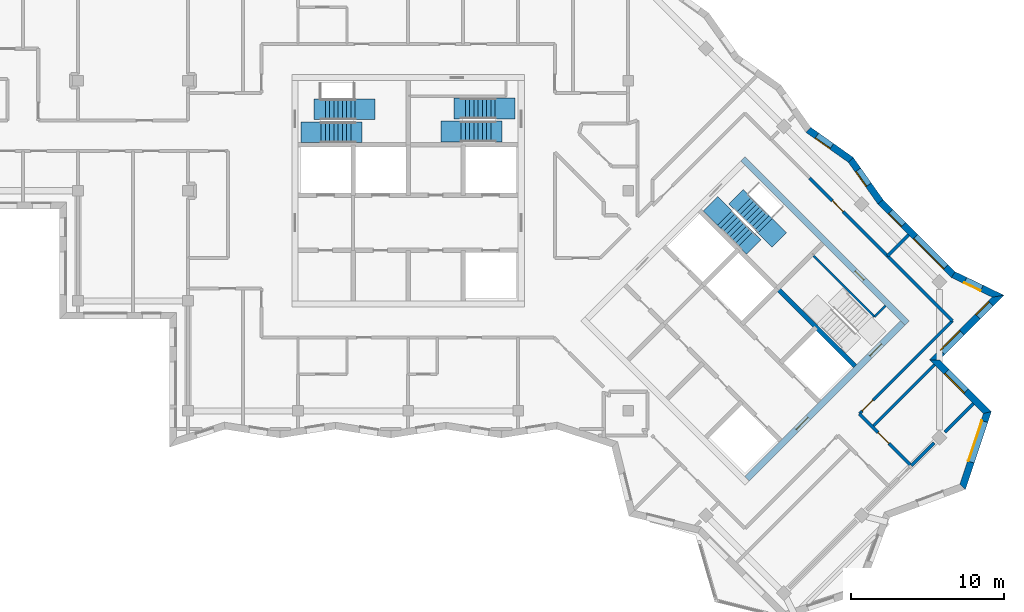
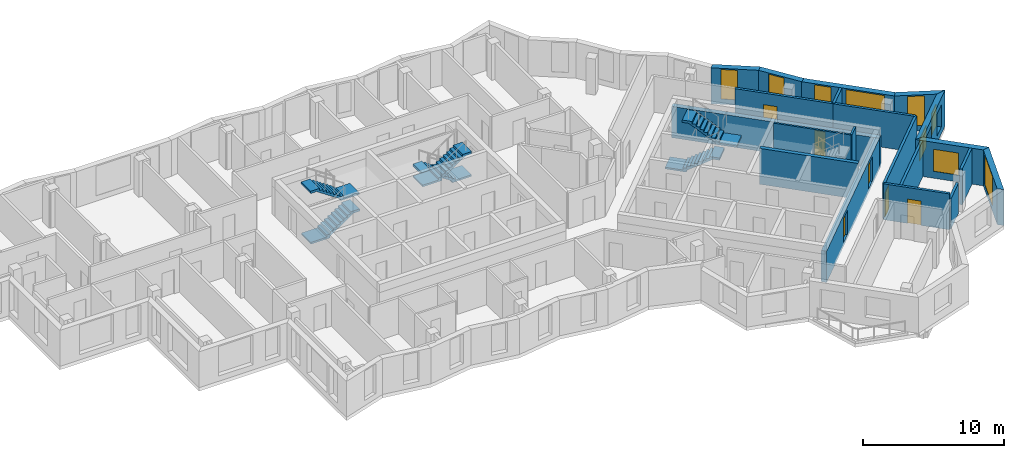
# One storey, part 8 of 12: 20 walls, 9 windows, 6 doors, 6 stair flights, 15 openings, 3 elements without a shape of their own.
"""IFC4 building model written with IfcOpenShell, lengths in metres."""

from ifc_helpers import new_model, si_unit, direction, frame, frame_2d, origin, place, context, subcontext, project, spatial, polyline, rectangle, outline, extrude, material, layer, layer_set, type_object, element, fill, aggregate, save


model = new_model("IFC4")

# Units and contexts
model_context = context("Model", 3, precision=1e-05, world=origin(), true_north=direction((0.0, 1.0)))
body_context = subcontext(model_context, "Body", "Model", "MODEL_VIEW")
ifc_project = project(units=[si_unit("LENGTHUNIT", "METRE"), si_unit("AREAUNIT", "SQUARE_METRE"), si_unit("VOLUMEUNIT", "CUBIC_METRE"), si_unit("PLANEANGLEUNIT", "RADIAN"), si_unit("MASSUNIT", "GRAM", prefix="KILO")], contexts=[model_context])

# Site, building, storey
site_placement = place(None, origin())
site = spatial("IfcSite", under=ifc_project, at=site_placement, CompositionType="ELEMENT")
building_placement = place(site_placement, origin())
building = spatial("IfcBuilding", under=site, at=building_placement, Name="Windrow Commons", CompositionType="ELEMENT")
storey_placement = place(building_placement, frame((0.0, 0.0, 274.4)))
storey = spatial("IfcBuildingStorey", under=building, at=storey_placement, Name="L75", CompositionType="ELEMENT", Elevation=274.4)

# Wall, opening, window
ifc_material_1 = material(Name="Brick masonry, red clay brick", Category="masonry")
ifc_layer_1 = layer(ifc_material_1, 0.45)
ifc_layer_set_1 = layer_set([ifc_layer_1], Name="Brick facade wall 450")
wall_type_1 = type_object("IfcWallType", Name="Brick facade wall 450", PredefinedType="SOLIDWALL", material=ifc_layer_set_1)
wall_1_placement = place(storey_placement, frame((101.0824, 38.2322, 0.0), z_axis=(0.0, 0.0, 1.0), x_axis=(0.316227766, 0.9486832981, 0.0)))
wall_1 = element("IfcWall", 1, at=wall_1_placement, inside=storey, type_object=wall_type_1, Name="Brick facade wall L75 4", PredefinedType="SOLIDWALL", context=body_context, shape_type="SweptSolid", body=[
    extrude(outline(polyline([(-0.1078, -0.225), (5.2588, -0.225), (4.9807, 0.225), (0.1078, 0.225), (-0.1078, -0.225)])), origin(), (0.0, 0.0, 1.0), 3.1),
])
opening_1_placement = place(wall_1_placement, frame((1.7112, 0.0, 0.45)))
opening_1 = element("IfcOpeningElement", 2, at=opening_1_placement, cuts=wall_1, Name="Opening W1V", PredefinedType="OPENING", context=body_context, shape_type="SweptSolid", body=[
    extrude(rectangle(XDim=2.8, YDim=2.55, at=frame_2d((1.4, 1.275))), frame((0.0, 0.235, 0.0), z_axis=(0.0, -1.0, 0.0), x_axis=(1.0, 0.0, 0.0)), (0.0, 0.0, 1.0), 0.47),
])
ifc_material_2 = material(Name="Clear float glass in anodised aluminium frame", Category="aluminium")
window_type_1 = type_object("IfcWindowType", Name="Window W1V bedroom 2800x2550", PartitioningType="SINGLE_PANEL", PredefinedType="WINDOW", material=ifc_material_2)
window_1_placement = place(opening_1_placement, origin())
window_1 = element("IfcWindow", 3, at=window_1_placement, inside=storey, type_object=window_type_1, Name="Window L75 4.1", OverallHeight=2.55, OverallWidth=2.8, PartitioningType="SINGLE_PANEL", PredefinedType="WINDOW", context=body_context, shape_type="SweptSolid", body=[
    extrude(rectangle(XDim=2.8, YDim=2.55, at=frame_2d((1.4, 1.275))), frame((0.0, 0.205, 0.0), z_axis=(0.0, -1.0, 0.0), x_axis=(1.0, 0.0, 0.0)), (0.0, 0.0, 1.0), 0.06),
])
fill(opening_1, window_1)

wall_2_placement = place(storey_placement, frame((102.7014, 43.0892, 0.0), z_axis=(0.0, 0.0, 1.0), x_axis=(-0.7070965479, 0.7071170144, 0.0)))
wall_2 = element("IfcWall", 4, at=wall_2_placement, inside=storey, type_object=wall_type_1, Name="Brick facade wall L75 5", PredefinedType="SOLIDWALL", context=body_context, shape_type="SweptSolid", body=[
    extrude(outline(polyline([(-0.1391, -0.225), (4.661, -0.225), (5.111, 0.225), (0.1391, 0.225), (-0.1391, -0.225)])), origin(), (0.0, 0.0, 1.0), 3.1),
])
opening_2_placement = place(wall_2_placement, frame((1.9735, 0.0, 0.6)))
opening_2 = element("IfcOpeningElement", 5, at=opening_2_placement, cuts=wall_2, Name="Opening W1L", PredefinedType="OPENING", context=body_context, shape_type="SweptSolid", body=[
    extrude(rectangle(XDim=1.8, YDim=1.9, at=frame_2d((0.9, 0.95))), frame((0.0, 0.235, 0.0), z_axis=(0.0, -1.0, 0.0), x_axis=(1.0, 0.0, 0.0)), (0.0, 0.0, 1.0), 0.47),
])
ifc_material_3 = material(Name="Clear float glass in anodised aluminium frame", Category="aluminium")
window_type_2 = type_object("IfcWindowType", Name="Window W1L bedroom 1800x1900", PartitioningType="SINGLE_PANEL", PredefinedType="WINDOW", material=ifc_material_3)
window_2_placement = place(opening_2_placement, origin())
window_2 = element("IfcWindow", 6, at=window_2_placement, inside=storey, type_object=window_type_2, Name="Window L75 5.1", OverallHeight=1.9, OverallWidth=1.8, PartitioningType="SINGLE_PANEL", PredefinedType="WINDOW", context=body_context, shape_type="SweptSolid", body=[
    extrude(rectangle(XDim=1.8, YDim=1.9, at=frame_2d((0.9, 0.95))), frame((0.0, 0.205, 0.0), z_axis=(0.0, -1.0, 0.0), x_axis=(1.0, 0.0, 0.0)), (0.0, 0.0, 1.0), 0.06),
])
fill(opening_2, window_2)

# Wall, openings, windows
wall_3_placement = place(storey_placement, frame((99.2465, 46.5442, 0.0), z_axis=(0.0, 0.0, 1.0), x_axis=(0.7071067812, 0.7071067812, 0.0)))
wall_3 = element("IfcWall", 7, at=wall_3_placement, inside=storey, type_object=wall_type_1, Name="Brick facade wall L75 6", PredefinedType="SOLIDWALL", context=body_context, shape_type="SweptSolid", body=[
    extrude(outline(polyline([(0.225, -0.225), (6.197, -0.225), (5.5621, 0.225), (-0.225, 0.225), (0.225, -0.225)])), origin(), (0.0, 0.0, 1.0), 3.1),
])
opening_3_placement = place(wall_3_placement, frame((0.7125, 0.0, 0.6)))
opening_3 = element("IfcOpeningElement", 8, at=opening_3_placement, cuts=wall_3, Name="Opening W1L", PredefinedType="OPENING", context=body_context, shape_type="SweptSolid", body=[
    extrude(rectangle(XDim=1.8, YDim=1.9, at=frame_2d((0.9, 0.95))), frame((0.0, 0.235, 0.0), z_axis=(0.0, -1.0, 0.0), x_axis=(1.0, 0.0, 0.0)), (0.0, 0.0, 1.0), 0.47),
])
opening_4_placement = place(wall_3_placement, frame((3.9935, 0.0, 0.6)))
opening_4 = element("IfcOpeningElement", 9, at=opening_4_placement, cuts=wall_3, Name="Opening W7G", PredefinedType="OPENING", context=body_context, shape_type="SweptSolid", body=[
    extrude(rectangle(XDim=1.2, YDim=1.9, at=frame_2d((0.6, 0.95))), frame((0.0, 0.235, 0.0), z_axis=(0.0, -1.0, 0.0), x_axis=(1.0, 0.0, 0.0)), (0.0, 0.0, 1.0), 0.47),
])
window_3_placement = place(opening_3_placement, origin())
window_3 = element("IfcWindow", 10, at=window_3_placement, inside=storey, type_object=window_type_2, Name="Window L75 6.1", OverallHeight=1.9, OverallWidth=1.8, PartitioningType="SINGLE_PANEL", PredefinedType="WINDOW", context=body_context, shape_type="SweptSolid", body=[
    extrude(rectangle(XDim=1.8, YDim=1.9, at=frame_2d((0.9, 0.95))), frame((0.0, 0.205, 0.0), z_axis=(0.0, -1.0, 0.0), x_axis=(1.0, 0.0, 0.0)), (0.0, 0.0, 1.0), 0.06),
])
fill(opening_3, window_3)
ifc_material_4 = material(Name="Clear float glass in anodised aluminium frame", Category="aluminium")
window_type_3 = type_object("IfcWindowType", Name="Window W7 notch 1200x1900", PartitioningType="SINGLE_PANEL", PredefinedType="WINDOW", material=ifc_material_4)
window_4_placement = place(opening_4_placement, origin())
window_4 = element("IfcWindow", 11, at=window_4_placement, inside=storey, type_object=window_type_3, Name="Window L75 6.2", OverallHeight=1.9, OverallWidth=1.2, PartitioningType="SINGLE_PANEL", PredefinedType="WINDOW", context=body_context, shape_type="SweptSolid", body=[
    extrude(rectangle(XDim=1.2, YDim=1.9, at=frame_2d((0.6, 0.95))), frame((0.0, 0.205, 0.0), z_axis=(0.0, -1.0, 0.0), x_axis=(1.0, 0.0, 0.0)), (0.0, 0.0, 1.0), 0.06),
])
fill(opening_4, window_4)

# Wall, opening, window
wall_4_placement = place(storey_placement, frame((103.404, 50.7017, 0.0), z_axis=(0.0, 0.0, 1.0), x_axis=(-0.9014267911, 0.4329315654, 0.0)))
wall_4 = element("IfcWall", 12, at=wall_4_placement, inside=storey, type_object=wall_type_1, Name="Brick facade wall L75 7", PredefinedType="SOLIDWALL", context=body_context, shape_type="SweptSolid", body=[
    extrude(outline(polyline([(-0.3175, -0.225), (3.2205, -0.225), (3.2972, 0.225), (0.3175, 0.225), (-0.3175, -0.225)])), origin(), (0.0, 0.0, 1.0), 3.1),
])
opening_5_placement = place(wall_4_placement, frame((1.1882, 0.0, 0.45)))
opening_5 = element("IfcOpeningElement", 13, at=opening_5_placement, cuts=wall_4, Name="Opening W7F", PredefinedType="OPENING", context=body_context, shape_type="SweptSolid", body=[
    extrude(rectangle(XDim=1.2, YDim=2.55, at=frame_2d((0.6, 1.275))), frame((0.0, 0.235, 0.0), z_axis=(0.0, -1.0, 0.0), x_axis=(1.0, 0.0, 0.0)), (0.0, 0.0, 1.0), 0.47),
])
ifc_material_5 = material(Name="Clear float glass in anodised aluminium frame", Category="aluminium")
window_type_4 = type_object("IfcWindowType", Name="Window W7 notch 1200x2550", PartitioningType="SINGLE_PANEL", PredefinedType="WINDOW", material=ifc_material_5)
window_5_placement = place(opening_5_placement, origin())
window_5 = element("IfcWindow", 14, at=window_5_placement, inside=storey, type_object=window_type_4, Name="Window L75 7.1", OverallHeight=2.55, OverallWidth=1.2, PartitioningType="SINGLE_PANEL", PredefinedType="WINDOW", context=body_context, shape_type="SweptSolid", body=[
    extrude(rectangle(XDim=1.2, YDim=2.55, at=frame_2d((0.6, 1.275))), frame((0.0, 0.205, 0.0), z_axis=(0.0, -1.0, 0.0), x_axis=(1.0, 0.0, 0.0)), (0.0, 0.0, 1.0), 0.06),
])
fill(opening_5, window_5)

# Wall, openings, windows
wall_5_placement = place(storey_placement, frame((100.4663, 52.1126, 0.0), z_axis=(0.0, 0.0, 1.0), x_axis=(-0.7071067812, 0.7071067812, 0.0)))
wall_5 = element("IfcWall", 15, at=wall_5_placement, inside=storey, type_object=wall_type_1, Name="Brick facade wall L75 8", PredefinedType="SOLIDWALL", context=body_context, shape_type="SweptSolid", body=[
    extrude(outline(polyline([(0.0383, -0.225), (6.7148, -0.225), (6.7531, 0.225), (-0.0383, 0.225), (0.0383, -0.225)])), origin(), (0.0, 0.0, 1.0), 3.1),
])
opening_6_placement = place(wall_5_placement, frame((0.7001, 0.0, 0.45)))
opening_6 = element("IfcOpeningElement", 16, at=opening_6_placement, cuts=wall_5, Name="Opening W1V", PredefinedType="OPENING", context=body_context, shape_type="SweptSolid", body=[
    extrude(rectangle(XDim=2.8, YDim=2.55, at=frame_2d((1.4, 1.275))), frame((0.0, 0.235, 0.0), z_axis=(0.0, -1.0, 0.0), x_axis=(1.0, 0.0, 0.0)), (0.0, 0.0, 1.0), 0.47),
])
opening_7_placement = place(wall_5_placement, frame((4.617, 0.0, 0.45)))
opening_7 = element("IfcOpeningElement", 17, at=opening_7_placement, cuts=wall_5, Name="Opening W7F", PredefinedType="OPENING", context=body_context, shape_type="SweptSolid", body=[
    extrude(rectangle(XDim=1.2, YDim=2.55, at=frame_2d((0.6, 1.275))), frame((0.0, 0.235, 0.0), z_axis=(0.0, -1.0, 0.0), x_axis=(1.0, 0.0, 0.0)), (0.0, 0.0, 1.0), 0.47),
])
window_6_placement = place(opening_6_placement, origin())
window_6 = element("IfcWindow", 18, at=window_6_placement, inside=storey, type_object=window_type_1, Name="Window L75 8.1", OverallHeight=2.55, OverallWidth=2.8, PartitioningType="SINGLE_PANEL", PredefinedType="WINDOW", context=body_context, shape_type="SweptSolid", body=[
    extrude(rectangle(XDim=2.8, YDim=2.55, at=frame_2d((1.4, 1.275))), frame((0.0, 0.205, 0.0), z_axis=(0.0, -1.0, 0.0), x_axis=(1.0, 0.0, 0.0)), (0.0, 0.0, 1.0), 0.06),
])
fill(opening_6, window_6)
window_7_placement = place(opening_7_placement, origin())
window_7 = element("IfcWindow", 19, at=window_7_placement, inside=storey, type_object=window_type_4, Name="Window L75 8.2", OverallHeight=2.55, OverallWidth=1.2, PartitioningType="SINGLE_PANEL", PredefinedType="WINDOW", context=body_context, shape_type="SweptSolid", body=[
    extrude(rectangle(XDim=1.2, YDim=2.55, at=frame_2d((0.6, 1.275))), frame((0.0, 0.205, 0.0), z_axis=(0.0, -1.0, 0.0), x_axis=(1.0, 0.0, 0.0)), (0.0, 0.0, 1.0), 0.06),
])
fill(opening_7, window_7)

# Wall, opening, window
wall_6_placement = place(storey_placement, frame((95.7047, 56.8742, 0.0), z_axis=(0.0, 0.0, 1.0), x_axis=(-0.5775269957, 0.8163715877, 0.0)))
wall_6 = element("IfcWall", 20, at=wall_6_placement, inside=storey, type_object=wall_type_1, Name="Brick facade wall L75 9", PredefinedType="SOLIDWALL", context=body_context, shape_type="SweptSolid", body=[
    extrude(outline(polyline([(0.0191, -0.225), (3.406, -0.225), (3.3289, 0.225), (-0.0191, 0.225), (0.0191, -0.225)])), origin(), (0.0, 0.0, 1.0), 3.1),
])
opening_8_placement = place(wall_6_placement, frame((1.3531, 0.0, 0.45)))
opening_8 = element("IfcOpeningElement", 21, at=opening_8_placement, cuts=wall_6, Name="Opening W7F", PredefinedType="OPENING", context=body_context, shape_type="SweptSolid", body=[
    extrude(rectangle(XDim=1.2, YDim=2.55, at=frame_2d((0.6, 1.275))), frame((0.0, 0.235, 0.0), z_axis=(0.0, -1.0, 0.0), x_axis=(1.0, 0.0, 0.0)), (0.0, 0.0, 1.0), 0.47),
])
window_8_placement = place(opening_8_placement, origin())
window_8 = element("IfcWindow", 22, at=window_8_placement, inside=storey, type_object=window_type_4, Name="Window L75 9.1", OverallHeight=2.55, OverallWidth=1.2, PartitioningType="SINGLE_PANEL", PredefinedType="WINDOW", context=body_context, shape_type="SweptSolid", body=[
    extrude(rectangle(XDim=1.2, YDim=2.55, at=frame_2d((0.6, 1.275))), frame((0.0, 0.205, 0.0), z_axis=(0.0, -1.0, 0.0), x_axis=(1.0, 0.0, 0.0)), (0.0, 0.0, 1.0), 0.06),
])
fill(opening_8, window_8)

wall_7_placement = place(storey_placement, frame((93.7599, 59.6233, 0.0), z_axis=(0.0, 0.0, 1.0), x_axis=(-0.8163643715, 0.5775371961, 0.0)))
wall_7 = element("IfcWall", 23, at=wall_7_placement, inside=storey, type_object=wall_type_1, Name="Brick facade wall L75 10", PredefinedType="SOLIDWALL", context=body_context, shape_type="SweptSolid", body=[
    extrude(outline(polyline([(-0.0386, -0.225), (3.3483, -0.225), (3.4255, 0.225), (0.0386, 0.225), (-0.0386, -0.225)])), origin(), (0.0, 0.0, 1.0), 3.1),
])
opening_9_placement = place(wall_7_placement, frame((1.5246, 0.0, 0.45)))
opening_9 = element("IfcOpeningElement", 24, at=opening_9_placement, cuts=wall_7, Name="Opening W7F", PredefinedType="OPENING", context=body_context, shape_type="SweptSolid", body=[
    extrude(rectangle(XDim=1.2, YDim=2.55, at=frame_2d((0.6, 1.275))), frame((0.0, 0.235, 0.0), z_axis=(0.0, -1.0, 0.0), x_axis=(1.0, 0.0, 0.0)), (0.0, 0.0, 1.0), 0.47),
])
window_9_placement = place(opening_9_placement, origin())
window_9 = element("IfcWindow", 25, at=window_9_placement, inside=storey, type_object=window_type_4, Name="Window L75 10.1", OverallHeight=2.55, OverallWidth=1.2, PartitioningType="SINGLE_PANEL", PredefinedType="WINDOW", context=body_context, shape_type="SweptSolid", body=[
    extrude(rectangle(XDim=1.2, YDim=2.55, at=frame_2d((0.6, 1.275))), frame((0.0, 0.205, 0.0), z_axis=(0.0, -1.0, 0.0), x_axis=(1.0, 0.0, 0.0)), (0.0, 0.0, 1.0), 0.06),
])
fill(opening_9, window_9)

# Wall, opening, door
ifc_material_6 = material(Name="Blockwork partition", Category="masonry")
ifc_layer_2 = layer(ifc_material_6, 0.2)
ifc_layer_set_2 = layer_set([ifc_layer_2], Name="IW-CORRIDOR-200")
wall_type_2 = type_object("IfcWallType", Name="IW-CORRIDOR-200", PredefinedType="PARTITIONING", material=ifc_layer_set_2)
wall_8_placement = place(storey_placement, frame((94.3319, 43.0101, 0.0), z_axis=(0.0, 0.0, 1.0), x_axis=(0.7071067812, 0.7071067812, 0.0)))
wall_8 = element("IfcWall", 26, at=wall_8_placement, inside=storey, type_object=wall_type_2, Name="W-L75-W013", PredefinedType="PARTITIONING", context=body_context, shape_type="SweptSolid", body=[
    extrude(rectangle(XDim=8.5984, YDim=0.2, at=frame_2d((4.2992, 0.0))), origin(), (0.0, 0.0, 1.0), 3.1),
])
opening_10_placement = place(wall_8_placement, frame((0.2547, 0.0, 0.0)))
opening_10 = element("IfcOpeningElement", 27, at=opening_10_placement, cuts=wall_8, Name="Opening D310F", PredefinedType="OPENING", context=body_context, shape_type="SweptSolid", body=[
    extrude(rectangle(XDim=1.0, YDim=2.1, at=frame_2d((0.5, 1.05))), frame((0.0, 0.11, 0.0), z_axis=(0.0, -1.0, 0.0), x_axis=(1.0, 0.0, 0.0)), (0.0, 0.0, 1.0), 0.22),
])
ifc_material_7 = material(Name="Timber door leaf", Category="wood")
door_type_1 = type_object("IfcDoorType", Name="DT-AMENITY-1000", OperationType="SINGLE_SWING_LEFT", PredefinedType="DOOR", material=ifc_material_7)
door_1_placement = place(opening_10_placement, origin())
door_1 = element("IfcDoor", 28, at=door_1_placement, inside=storey, type_object=door_type_1, Name="D-L75-D033", OperationType="SINGLE_SWING_RIGHT", OverallHeight=2.1, OverallWidth=1.0, PredefinedType="DOOR", context=body_context, shape_type="SweptSolid", body=[
    extrude(rectangle(XDim=1.0, YDim=2.1, at=frame_2d((0.5, 1.05))), frame((0.0, 0.025, 0.0), z_axis=(0.0, -1.0, 0.0), x_axis=(1.0, 0.0, 0.0)), (0.0, 0.0, 1.0), 0.05),
])
fill(opening_10, door_1)

wall_9_placement = place(storey_placement, frame((91.0801, 58.4241, 0.0), z_axis=(0.0, 0.0, 1.0), x_axis=(0.7069678741, -0.707245661, 0.0)))
wall_9 = element("IfcWall", 29, at=wall_9_placement, inside=storey, type_object=wall_type_2, Name="W-L75-W015", PredefinedType="PARTITIONING", context=body_context, shape_type="SweptSolid", body=[
    extrude(rectangle(XDim=7.1998, YDim=0.2, at=frame_2d((3.5999, 0.0))), origin(), (0.0, 0.0, 1.0), 3.1),
])
opening_11_placement = place(wall_9_placement, frame((2.0841, 0.0, 0.0)))
opening_11 = element("IfcOpeningElement", 30, at=opening_11_placement, cuts=wall_9, Name="Opening D310F", PredefinedType="OPENING", context=body_context, shape_type="SweptSolid", body=[
    extrude(rectangle(XDim=1.0, YDim=2.1, at=frame_2d((0.5, 1.05))), frame((0.0, 0.11, 0.0), z_axis=(0.0, -1.0, 0.0), x_axis=(1.0, 0.0, 0.0)), (0.0, 0.0, 1.0), 0.22),
])
door_2_placement = place(opening_11_placement, origin())
door_2 = element("IfcDoor", 31, at=door_2_placement, inside=storey, type_object=door_type_1, Name="D-L75-D030", OperationType="SINGLE_SWING_LEFT", OverallHeight=2.1, OverallWidth=1.0, PredefinedType="DOOR", context=body_context, shape_type="SweptSolid", body=[
    extrude(rectangle(XDim=1.0, YDim=2.1, at=frame_2d((0.5, 1.05))), frame((0.0, 0.025, 0.0), z_axis=(0.0, -1.0, 0.0), x_axis=(1.0, 0.0, 0.0)), (0.0, 0.0, 1.0), 0.05),
])
fill(opening_11, door_2)

# Wall
wall_10_placement = place(storey_placement, frame((96.1673, 53.3293, 0.0), z_axis=(0.0, 0.0, 1.0), x_axis=(0.7071067812, -0.7071067812, 0.0)))
element("IfcWall", 32, at=wall_10_placement, inside=storey, type_object=wall_type_2, Name="W-L75-W027", PredefinedType="PARTITIONING", context=body_context, shape_type="SweptSolid", body=[
    extrude(rectangle(XDim=5.9991, YDim=0.2, at=frame_2d((2.9996, 0.0))), origin(), (0.0, 0.0, 1.0), 3.1),
])

# Wall, opening, door
wall_11_placement = place(storey_placement, frame((94.3291, 43.0051, 0.0), z_axis=(0.0, 0.0, 1.0), x_axis=(0.7071067812, -0.7071067812, 0.0)))
wall_11 = element("IfcWall", 33, at=wall_11_placement, inside=storey, type_object=wall_type_2, Name="W-L75-W033", PredefinedType="PARTITIONING", context=body_context, shape_type="SweptSolid", body=[
    extrude(rectangle(XDim=4.7998, YDim=0.2, at=frame_2d((2.3999, 0.0))), origin(), (0.0, 0.0, 1.0), 3.1),
])
opening_12_placement = place(wall_11_placement, frame((1.7246, 0.0, 0.0)))
opening_12 = element("IfcOpeningElement", 34, at=opening_12_placement, cuts=wall_11, Name="Opening D310F", PredefinedType="OPENING", context=body_context, shape_type="SweptSolid", body=[
    extrude(rectangle(XDim=1.0, YDim=2.1, at=frame_2d((0.5, 1.05))), frame((0.0, 0.11, 0.0), z_axis=(0.0, -1.0, 0.0), x_axis=(1.0, 0.0, 0.0)), (0.0, 0.0, 1.0), 0.22),
])
door_3_placement = place(opening_12_placement, origin())
door_3 = element("IfcDoor", 35, at=door_3_placement, inside=storey, type_object=door_type_1, Name="D-L75-D036", OperationType="SINGLE_SWING_RIGHT", OverallHeight=2.1, OverallWidth=1.0, PredefinedType="DOOR", context=body_context, shape_type="SweptSolid", body=[
    extrude(rectangle(XDim=1.0, YDim=2.1, at=frame_2d((0.5, 1.05))), frame((0.0, 0.025, 0.0), z_axis=(0.0, -1.0, 0.0), x_axis=(1.0, 0.0, 0.0)), (0.0, 0.0, 1.0), 0.05),
])
fill(opening_12, door_3)

# Walls
ifc_material_8 = material(Name="Blockwork partition", Category="masonry")
ifc_layer_3 = layer(ifc_material_8, 0.2)
ifc_layer_set_3 = layer_set([ifc_layer_3], Name="IW-PARTY-200")
wall_type_3 = type_object("IfcWallType", Name="IW-PARTY-200", PredefinedType="PARTITIONING", material=ifc_layer_set_3)
wall_12_placement = place(storey_placement, frame((95.1794, 42.1606, 0.0), z_axis=(0.0, 0.0, 1.0), x_axis=(0.707115476, 0.7070980863, 0.0)))
element("IfcWall", 36, at=wall_12_placement, inside=storey, type_object=wall_type_3, Name="W-L75-W028", PredefinedType="PARTITIONING", context=body_context, shape_type="SweptSolid", body=[
    extrude(rectangle(XDim=5.7505, YDim=0.2, at=frame_2d((2.8752, 0.0))), origin(), (0.0, 0.0, 1.0), 3.1),
])
wall_13_placement = place(storey_placement, frame((99.913, 41.803, 0.0), z_axis=(0.0, 0.0, 1.0), x_axis=(0.7071067812, 0.7071067812, 0.0)))
element("IfcWall", 37, at=wall_13_placement, inside=storey, type_object=wall_type_3, Name="W-L75-W066", PredefinedType="PARTITIONING", context=body_context, shape_type="SweptSolid", body=[
    extrude(rectangle(XDim=2.6562, YDim=0.2, at=frame_2d((1.3281, 0.0))), origin(), (0.0, 0.0, 1.0), 3.1),
])
wall_14_placement = place(storey_placement, frame((97.725, 39.615, 0.0), z_axis=(0.0, 0.0, 1.0), x_axis=(0.7071067812, 0.7071067812, 0.0)))
element("IfcWall", 38, at=wall_14_placement, inside=storey, type_object=wall_type_3, Name="W-L75-W084", PredefinedType="PARTITIONING", context=body_context, shape_type="SweptSolid", body=[
    extrude(rectangle(XDim=2.1072, YDim=0.2, at=frame_2d((1.0536, 0.0))), origin(), (0.0, 0.0, 1.0), 2.6),
])
wall_15_placement = place(storey_placement, frame((96.1693, 53.3327, 0.0), z_axis=(0.0, 0.0, 1.0), x_axis=(0.7070811488, 0.7071324126, 0.0)))
element("IfcWall", 39, at=wall_15_placement, inside=storey, type_object=wall_type_3, Name="W-L75-W094", PredefinedType="PARTITIONING", context=body_context, shape_type="SweptSolid", body=[
    extrude(rectangle(XDim=1.9507, YDim=0.2, at=frame_2d((0.9754, 0.0))), origin(), (0.0, 0.0, 1.0), 3.1),
])

# Wall, opening, door
ifc_material_9 = material(Name="Concrete C40/50", Category="concrete")
ifc_layer_4 = layer(ifc_material_9, 0.4)
ifc_layer_set_4 = layer_set([ifc_layer_4], Name="RC CORE WALL 400 C40/50")
wall_type_4 = type_object("IfcWallType", Name="RC CORE WALL 400 C40/50", PredefinedType="SHEAR", material=ifc_layer_set_4)
wall_16_placement = place(storey_placement, frame((86.6953, 59.6963, -0.3), z_axis=(0.0, 0.0, 1.0), x_axis=(0.7071100706, -0.7071034917, 0.0)))
wall_16 = element("IfcWall", 40, at=wall_16_placement, inside=storey, type_object=wall_type_4, Name="Core B wall outer-N", PredefinedType="SHEAR", context=body_context, shape_type="SweptSolid", body=[
    extrude(rectangle(XDim=15.2, YDim=0.4, at=frame_2d((7.6, 0.0))), origin(), (0.0, 0.0, 1.0), 2.7),
])
opening_13_placement = place(wall_16_placement, frame((10.4, 0.0, 0.3)))
opening_13 = element("IfcOpeningElement", 41, at=opening_13_placement, cuts=wall_16, Name="Opening D9", PredefinedType="OPENING", context=body_context, shape_type="SweptSolid", body=[
    extrude(rectangle(XDim=0.8, YDim=2.1, at=frame_2d((0.4, 1.05))), frame((0.0, 0.21, 0.0), z_axis=(0.0, -1.0, 0.0), x_axis=(1.0, 0.0, 0.0)), (0.0, 0.0, 1.0), 0.42),
])
ifc_material_10 = material(Name="Steel fire door leaf", Category="steel")
door_type_2 = type_object("IfcDoorType", Name="Riser access door 800", OperationType="SINGLE_SWING_LEFT", PredefinedType="DOOR", material=ifc_material_10)
door_4_placement = place(opening_13_placement, origin())
door_4 = element("IfcDoor", 42, at=door_4_placement, inside=storey, type_object=door_type_2, Name="Riser access door", OperationType="SINGLE_SWING_RIGHT", OverallHeight=2.1, OverallWidth=0.8, PredefinedType="DOOR", context=body_context, shape_type="SweptSolid", body=[
    extrude(rectangle(XDim=0.8, YDim=2.1, at=frame_2d((0.4, 1.05))), frame((0.0, 0.025, 0.0), z_axis=(0.0, -1.0, 0.0), x_axis=(1.0, 0.0, 0.0)), (0.0, 0.0, 1.0), 0.05),
])
fill(opening_13, door_4)

# Wall, openings, doors
wall_17_placement = place(storey_placement, frame((86.9782, 38.766, -0.3), z_axis=(0.0, 0.0, 1.0), x_axis=(0.7071067812, 0.7071067812, 0.0)))
wall_17 = element("IfcWall", 43, at=wall_17_placement, inside=storey, type_object=wall_type_4, Name="Core B wall outer-E", PredefinedType="SHEAR", context=body_context, shape_type="SweptSolid", body=[
    extrude(rectangle(XDim=14.3999, YDim=0.4, at=frame_2d((7.2, 0.0))), origin(), (0.0, 0.0, 1.0), 2.7),
])
opening_14_placement = place(wall_17_placement, frame((4.55, 0.0, 0.3)))
opening_14 = element("IfcOpeningElement", 44, at=opening_14_placement, cuts=wall_17, Name="Opening D6", PredefinedType="OPENING", context=body_context, shape_type="SweptSolid", body=[
    extrude(rectangle(XDim=1.1, YDim=2.1, at=frame_2d((0.55, 1.05))), frame((0.0, 0.21, 0.0), z_axis=(0.0, -1.0, 0.0), x_axis=(1.0, 0.0, 0.0)), (0.0, 0.0, 1.0), 0.42),
])
opening_15_placement = place(wall_17_placement, frame((11.35, 0.0, 0.3)))
opening_15 = element("IfcOpeningElement", 45, at=opening_15_placement, cuts=wall_17, Name="Opening D7", PredefinedType="OPENING", context=body_context, shape_type="SweptSolid", body=[
    extrude(rectangle(XDim=1.1, YDim=2.1, at=frame_2d((0.55, 1.05))), frame((0.0, 0.21, 0.0), z_axis=(0.0, -1.0, 0.0), x_axis=(1.0, 0.0, 0.0)), (0.0, 0.0, 1.0), 0.42),
])
ifc_material_11 = material(Name="Steel fire door leaf", Category="steel")
door_type_3 = type_object("IfcDoorType", Name="Core lobby door 1100", OperationType="SINGLE_SWING_LEFT", PredefinedType="DOOR", material=ifc_material_11)
door_5_placement = place(opening_14_placement, origin())
door_5 = element("IfcDoor", 46, at=door_5_placement, inside=storey, type_object=door_type_3, Name="Lift lobby door", OperationType="DOUBLE_DOOR_SINGLE_SWING", OverallHeight=2.1, OverallWidth=1.1, PredefinedType="DOOR", context=body_context, shape_type="SweptSolid", body=[
    extrude(rectangle(XDim=1.1, YDim=2.1, at=frame_2d((0.55, 1.05))), frame((0.0, 0.025, 0.0), z_axis=(0.0, -1.0, 0.0), x_axis=(1.0, 0.0, 0.0)), (0.0, 0.0, 1.0), 0.05),
])
fill(opening_14, door_5)
ifc_material_12 = material(Name="Steel fire door leaf", Category="steel")
door_type_4 = type_object("IfcDoorType", Name="Stair door 1100", OperationType="SINGLE_SWING_LEFT", PredefinedType="DOOR", material=ifc_material_12)
door_6_placement = place(opening_15_placement, origin())
door_6 = element("IfcDoor", 47, at=door_6_placement, inside=storey, type_object=door_type_4, Name="Stair door", OperationType="SINGLE_SWING_RIGHT", OverallHeight=2.1, OverallWidth=1.1, PredefinedType="DOOR", context=body_context, shape_type="SweptSolid", body=[
    extrude(rectangle(XDim=1.1, YDim=2.1, at=frame_2d((0.55, 1.05))), frame((0.0, 0.025, 0.0), z_axis=(0.0, -1.0, 0.0), x_axis=(1.0, 0.0, 0.0)), (0.0, 0.0, 1.0), 0.05),
])
fill(opening_15, door_6)

# Walls
ifc_material_13 = material(Name="Concrete C40/50", Category="concrete")
ifc_layer_5 = layer(ifc_material_13, 0.3)
ifc_layer_set_5 = layer_set([ifc_layer_5], Name="RC SHAFT WALL 300 C40/50")
wall_type_5 = type_object("IfcWallType", Name="RC SHAFT WALL 300 C40/50", PredefinedType="SOLIDWALL", material=ifc_layer_set_5)
wall_18_placement = place(storey_placement, frame((88.9581, 51.2111, 0.0), z_axis=(0.0, 0.0, 1.0), x_axis=(0.7070998367, -0.7071137256, 0.0)))
element("IfcWall", 48, at=wall_18_placement, inside=storey, type_object=wall_type_5, Name="Core B wall stair-S2", PredefinedType="SOLIDWALL", context=body_context, shape_type="SweptSolid", body=[
    extrude(rectangle(XDim=7.2, YDim=0.3, at=frame_2d((3.6, 0.0))), origin(), (0.0, 0.0, 1.0), 3.1),
])
ifc_material_14 = material(Name="Blockwork partition", Category="masonry")
ifc_layer_6 = layer(ifc_material_14, 0.15)
ifc_layer_set_6 = layer_set([ifc_layer_6], Name="Riser partition 150")
wall_type_6 = type_object("IfcWallType", Name="Riser partition 150", PredefinedType="PARTITIONING", material=ifc_layer_set_6)
wall_19_placement = place(storey_placement, frame((91.3127, 53.3536, 0.0), z_axis=(0.0, 0.0, 1.0), x_axis=(0.7071067812, -0.7071067812, 0.0)))
element("IfcWall", 49, at=wall_19_placement, inside=storey, type_object=wall_type_6, Name="W-core-strip-B-L75", PredefinedType="PARTITIONING", context=body_context, shape_type="SweptSolid", body=[
    extrude(rectangle(XDim=5.6501, YDim=0.15, at=frame_2d((2.8251, 0.0))), origin(), (0.0, 0.0, 1.0), 3.1),
])
wall_20_placement = place(storey_placement, frame((95.3079, 49.3584, 0.0), z_axis=(0.0, 0.0, 1.0), x_axis=(0.70705776, 0.707155799, 0.0)))
element("IfcWall", 50, at=wall_20_placement, inside=storey, type_object=wall_type_6, Name="W-core-stripx-B-L75-1", PredefinedType="PARTITIONING", context=body_context, shape_type="SweptSolid", body=[
    extrude(rectangle(XDim=1.02, YDim=0.15, at=frame_2d((0.51, 0.0))), origin(), (0.0, 0.0, 1.0), 3.1),
])

# Stair, stair flights
ifc_material_15 = material(Name="Concrete C40/50", Category="concrete")
stair_type = type_object("IfcStairType", Name="Core stair", PredefinedType="HALF_TURN_STAIR", material=ifc_material_15)
placement = place(storey_placement, origin())
stair_1 = element("IfcStair", 51, at=placement, inside=storey, type_object=stair_type, Name="L75 Exit stair A1 core A", PredefinedType="HALF_TURN_STAIR")
ifc_material_16 = material(Name="Concrete C40/50", Category="concrete")
stair_flight_type = type_object("IfcStairFlightType", Name="Core stair flight", PredefinedType="STRAIGHT", material=ifc_material_16)
stair_flight_1_placement = place(storey_placement, frame((59.1, 61.425, 0.0), z_axis=(0.0, 0.0, 1.0), x_axis=(1.0, 0.0, 0.0)))
stair_flight_1 = element("IfcStairFlight", 52, at=stair_flight_1_placement, type_object=stair_flight_type, Name="ST-A1 flight 1", NumberOfRisers=9, NumberOfTreads=8, PredefinedType="STRAIGHT", RiserHeight=0.188888889, TreadLength=0.28, context=body_context, shape_type="SweptSolid", body=[
    extrude(outline(polyline([(-1.3, -0.15), (-1.3, 0.0), (0.0, 0.0), (0.0, 0.1889), (0.28, 0.1889), (0.28, 0.3778), (0.56, 0.3778), (0.56, 0.5667), (0.84, 0.5667), (0.84, 0.7556), (1.12, 0.7556), (1.12, 0.9444), (1.4, 0.9444), (1.4, 1.1333), (1.68, 1.1333), (1.68, 1.3222), (1.96, 1.3222), (1.96, 1.5111), (2.24, 1.5111), (2.69, 1.5111), (2.69, 1.3111), (2.24, 1.3111), (2.24, 1.3302), (0.2682, 0.0), (0.2682, -0.15), (-1.3, -0.15)])), frame((0.0, 0.675, 0.0), z_axis=(0.0, -1.0, 0.0), x_axis=(1.0, 0.0, 0.0)), (0.0, 0.0, 1.0), 1.35),
])
stair_flight_2_placement = place(storey_placement, frame((61.34, 62.925, 1.7), z_axis=(0.0, 0.0, 1.0), x_axis=(-1.0, 0.0, 0.0)))
stair_flight_2 = element("IfcStairFlight", 53, at=stair_flight_2_placement, type_object=stair_flight_type, Name="ST-A1 flight 2", NumberOfRisers=9, NumberOfTreads=8, PredefinedType="STRAIGHT", RiserHeight=0.188888889, TreadLength=0.28, context=body_context, shape_type="SweptSolid", body=[
    extrude(outline(polyline([(-1.3, -0.15), (-1.3, 0.0), (0.0, 0.0), (0.0, 0.1889), (0.28, 0.1889), (0.28, 0.3778), (0.56, 0.3778), (0.56, 0.5667), (0.84, 0.5667), (0.84, 0.7556), (1.12, 0.7556), (1.12, 0.9444), (1.4, 0.9444), (1.4, 1.1333), (1.68, 1.1333), (1.68, 1.3222), (1.96, 1.3222), (1.96, 1.5111), (2.24, 1.5111), (2.69, 1.5111), (2.69, 1.3111), (2.24, 1.3111), (2.24, 1.3302), (0.2682, 0.0), (0.2682, -0.15), (-1.3, -0.15)])), frame((0.0, 0.675, 0.0), z_axis=(0.0, -1.0, 0.0), x_axis=(1.0, 0.0, 0.0)), (0.0, 0.0, 1.0), 1.35),
])
aggregate(stair_1, [stair_flight_1, stair_flight_2])

stair_2 = element("IfcStair", 54, at=placement, inside=storey, type_object=stair_type, Name="L75 Exit stair A2 core A", PredefinedType="HALF_TURN_STAIR")
stair_flight_3_placement = place(storey_placement, frame((70.5, 62.98, 0.0), z_axis=(0.0, 0.0, 1.0), x_axis=(-1.0, 0.0, 0.0)))
stair_flight_3 = element("IfcStairFlight", 55, at=stair_flight_3_placement, type_object=stair_flight_type, Name="ST-A2 flight 1", NumberOfRisers=9, NumberOfTreads=8, PredefinedType="STRAIGHT", RiserHeight=0.188888889, TreadLength=0.28, context=body_context, shape_type="SweptSolid", body=[
    extrude(outline(polyline([(-1.3, -0.15), (-1.3, 0.0), (0.0, 0.0), (0.0, 0.1889), (0.28, 0.1889), (0.28, 0.3778), (0.56, 0.3778), (0.56, 0.5667), (0.84, 0.5667), (0.84, 0.7556), (1.12, 0.7556), (1.12, 0.9444), (1.4, 0.9444), (1.4, 1.1333), (1.68, 1.1333), (1.68, 1.3222), (1.96, 1.3222), (1.96, 1.5111), (2.24, 1.5111), (2.69, 1.5111), (2.69, 1.3111), (2.24, 1.3111), (2.24, 1.3302), (0.2682, 0.0), (0.2682, -0.15), (-1.3, -0.15)])), frame((0.0, 0.675, 0.0), z_axis=(0.0, -1.0, 0.0), x_axis=(1.0, 0.0, 0.0)), (0.0, 0.0, 1.0), 1.35),
])
stair_flight_4_placement = place(storey_placement, frame((68.26, 61.48, 1.7), z_axis=(0.0, 0.0, 1.0), x_axis=(1.0, 0.0, 0.0)))
stair_flight_4 = element("IfcStairFlight", 56, at=stair_flight_4_placement, type_object=stair_flight_type, Name="ST-A2 flight 2", NumberOfRisers=9, NumberOfTreads=8, PredefinedType="STRAIGHT", RiserHeight=0.188888889, TreadLength=0.28, context=body_context, shape_type="SweptSolid", body=[
    extrude(outline(polyline([(-1.3, -0.15), (-1.3, 0.0), (0.0, 0.0), (0.0, 0.1889), (0.28, 0.1889), (0.28, 0.3778), (0.56, 0.3778), (0.56, 0.5667), (0.84, 0.5667), (0.84, 0.7556), (1.12, 0.7556), (1.12, 0.9444), (1.4, 0.9444), (1.4, 1.1333), (1.68, 1.1333), (1.68, 1.3222), (1.96, 1.3222), (1.96, 1.5111), (2.24, 1.5111), (2.69, 1.5111), (2.69, 1.3111), (2.24, 1.3111), (2.24, 1.3302), (0.2682, 0.0), (0.2682, -0.15), (-1.3, -0.15)])), frame((0.0, 0.675, 0.0), z_axis=(0.0, -1.0, 0.0), x_axis=(1.0, 0.0, 0.0)), (0.0, 0.0, 1.0), 1.35),
])
aggregate(stair_2, [stair_flight_3, stair_flight_4])

stair_3 = element("IfcStair", 57, at=placement, inside=storey, type_object=stair_type, Name="L75 Exit stair B1 core B", PredefinedType="HALF_TURN_STAIR")
stair_flight_5_placement = place(storey_placement, frame((85.5109, 55.8249, 0.0), z_axis=(0.0, 0.0, 1.0), x_axis=(0.7071067812, -0.7071067812, 0.0)))
stair_flight_5 = element("IfcStairFlight", 58, at=stair_flight_5_placement, type_object=stair_flight_type, Name="ST-B1 flight 1", NumberOfRisers=9, NumberOfTreads=8, PredefinedType="STRAIGHT", RiserHeight=0.188888889, TreadLength=0.28, context=body_context, shape_type="SweptSolid", body=[
    extrude(outline(polyline([(-1.3, -0.15), (-1.3, 0.0), (0.0, 0.0), (0.0, 0.1889), (0.28, 0.1889), (0.28, 0.3778), (0.56, 0.3778), (0.56, 0.5667), (0.84, 0.5667), (0.84, 0.7556), (1.12, 0.7556), (1.12, 0.9444), (1.4, 0.9444), (1.4, 1.1333), (1.68, 1.1333), (1.68, 1.3222), (1.96, 1.3222), (1.96, 1.5111), (2.24, 1.5111), (2.69, 1.5111), (2.69, 1.3111), (2.24, 1.3111), (2.24, 1.3302), (0.2682, 0.0), (0.2682, -0.15), (-1.3, -0.15)])), frame((0.0, 0.675, 0.0), z_axis=(0.0, -1.0, 0.0), x_axis=(1.0, 0.0, 0.0)), (0.0, 0.0, 1.0), 1.35),
])
stair_flight_6_placement = place(storey_placement, frame((88.1555, 55.3017, 1.7), z_axis=(0.0, 0.0, 1.0), x_axis=(-0.7071067812, 0.7071067812, 0.0)))
stair_flight_6 = element("IfcStairFlight", 59, at=stair_flight_6_placement, type_object=stair_flight_type, Name="ST-B1 flight 2", NumberOfRisers=9, NumberOfTreads=8, PredefinedType="STRAIGHT", RiserHeight=0.188888889, TreadLength=0.28, context=body_context, shape_type="SweptSolid", body=[
    extrude(outline(polyline([(-1.3, -0.15), (-1.3, 0.0), (0.0, 0.0), (0.0, 0.1889), (0.28, 0.1889), (0.28, 0.3778), (0.56, 0.3778), (0.56, 0.5667), (0.84, 0.5667), (0.84, 0.7556), (1.12, 0.7556), (1.12, 0.9444), (1.4, 0.9444), (1.4, 1.1333), (1.68, 1.1333), (1.68, 1.3222), (1.96, 1.3222), (1.96, 1.5111), (2.24, 1.5111), (2.69, 1.5111), (2.69, 1.3111), (2.24, 1.3111), (2.24, 1.3302), (0.2682, 0.0), (0.2682, -0.15), (-1.3, -0.15)])), frame((0.0, 0.675, 0.0), z_axis=(0.0, -1.0, 0.0), x_axis=(1.0, 0.0, 0.0)), (0.0, 0.0, 1.0), 1.35),
])
aggregate(stair_3, [stair_flight_5, stair_flight_6])

save(model, "model.ifc")
